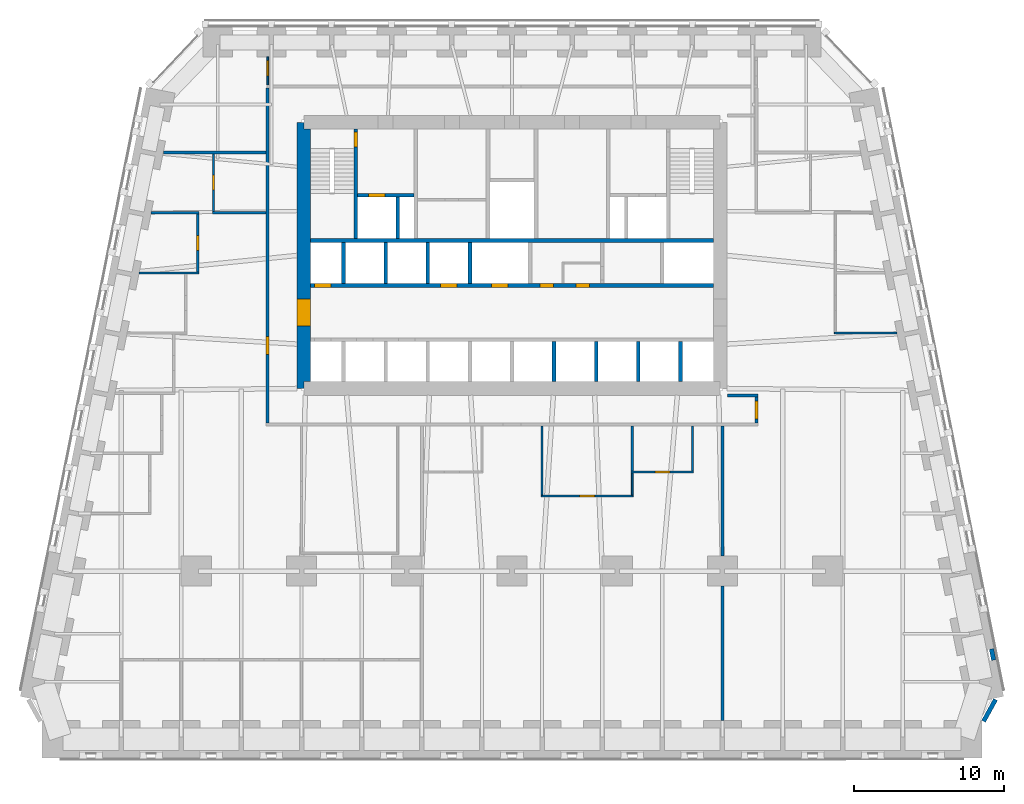
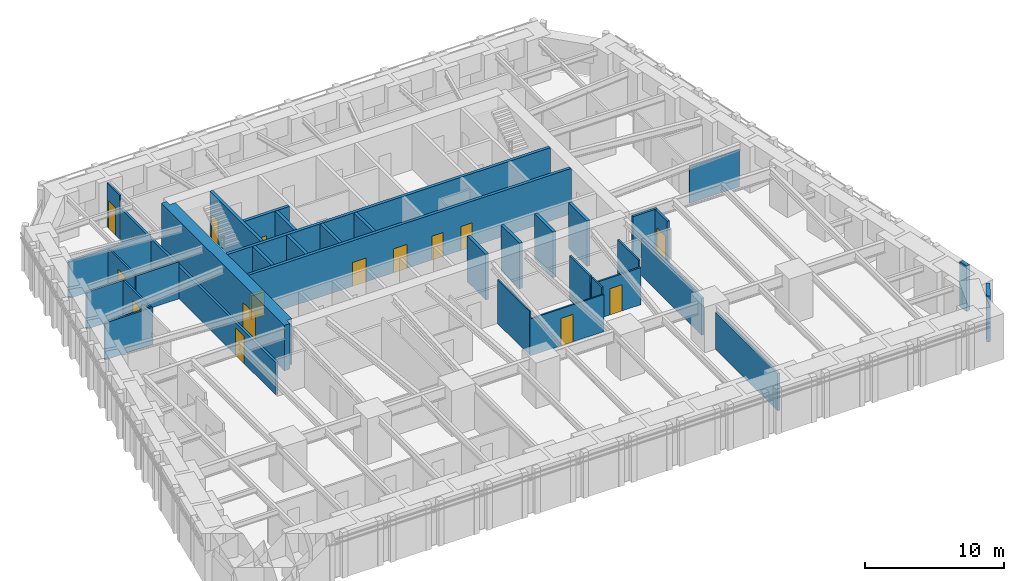
# One storey, part 12 of 16: 35 walls, 15 doors, 15 openings.
"""IFC4 building model written with IfcOpenShell, lengths in metres."""

from ifc_helpers import new_model, si_unit, direction, frame, frame_2d, origin, place, context, subcontext, project, spatial, polyline, rectangle, outline, extrude, material, layer, layer_set, type_object, element, fill, save


model = new_model("IFC4")

# Units and contexts
model_context = context("Model", 3, precision=1e-05, world=origin(), true_north=direction((0.0, 1.0)))
body_context = subcontext(model_context, "Body", "Model", "MODEL_VIEW")
ifc_project = project(units=[si_unit("LENGTHUNIT", "METRE"), si_unit("AREAUNIT", "SQUARE_METRE"), si_unit("VOLUMEUNIT", "CUBIC_METRE"), si_unit("PLANEANGLEUNIT", "RADIAN"), si_unit("MASSUNIT", "GRAM", prefix="KILO")], contexts=[model_context])

# Site, building, storey
site_placement = place(None, origin())
site = spatial("IfcSite", under=ifc_project, at=site_placement, CompositionType="ELEMENT")
building_placement = place(site_placement, origin())
building = spatial("IfcBuilding", under=site, at=building_placement, Name="Isbrekke Arena Tower", CompositionType="ELEMENT")
storey_placement = place(building_placement, frame((0.0, 0.0, 52.0)))
storey = spatial("IfcBuildingStorey", under=building, at=storey_placement, Name="L10", CompositionType="ELEMENT", Elevation=52.0)

# Wall, opening, door
ifc_material_1 = material(Name="Concrete B65 (C65/80)", Category="concrete")
ifc_layer_1 = layer(ifc_material_1, 0.89990234375)
ifc_layer_set_1 = layer_set([ifc_layer_1], Name="CW2 CORE WALL 900")
wall_type_1 = type_object("IfcWallType", Name="CW2 CORE WALL 900", PredefinedType="SHEAR", material=ifc_layer_set_1)
wall_1_placement = place(storey_placement, frame((-13.85009765625, 23.85009765625, 0.0), z_axis=(0.0, 0.0, 1.0), x_axis=(0.0, -1.0, 0.0)))
wall_1 = element("IfcWall", 1, at=wall_1_placement, inside=storey, type_object=wall_type_1, Name="Core wall W L10", PredefinedType="SHEAR", context=body_context, shape_type="SweptSolid", body=[
    extrude(outline(polyline([(0.0, -0.449951171875), (17.7001953125, -0.449951171875), (17.7001953125, 0.0), (17.250244140625, 0.0), (17.250244140625, 0.449951171875), (0.449951171875, 0.449951171875), (0.449951171875, 0.0), (0.0, 0.0), (0.0, -0.449951171875)])), origin(), (0.0, 0.0, 1.0), 4.0),
])
opening_1_placement = place(wall_1_placement, frame((11.75, 0.0, 0.0)))
opening_1 = element("IfcOpeningElement", 2, at=opening_1_placement, cuts=wall_1, Name="Opening D1", PredefinedType="OPENING", context=body_context, shape_type="SweptSolid", body=[
    extrude(rectangle(XDim=1.800048828125, YDim=2.39990234375, at=frame_2d((0.89990234375, 1.199951171875))), frame((0.0, 0.46484375, 0.0), z_axis=(0.0, -1.0, 0.0), x_axis=(1.0, 0.0, 0.0)), (0.0, 0.0, 1.0), 0.9296875),
])
ifc_material_2 = material(Name="Steel-framed glazed fire door", Category="steel")
door_type_1 = type_object("IfcDoorType", Name="D1 CORE LOBBY DOOR 1800 x 2400", OperationType="DOUBLE_DOOR_SINGLE_SWING", PredefinedType="DOOR", material=ifc_material_2)
door_1_placement = place(opening_1_placement, origin())
door_1 = element("IfcDoor", 3, at=door_1_placement, inside=storey, type_object=door_type_1, Name="D1 lift lobby door west L10", OperationType="DOUBLE_DOOR_SINGLE_SWING", OverallHeight=2.39990234375, OverallWidth=1.800048828125, PredefinedType="DOOR", context=body_context, shape_type="SweptSolid", body=[
    extrude(rectangle(XDim=1.800048828125, YDim=2.39990234375, at=frame_2d((0.89990234375, 1.199951171875))), frame((0.0, 0.44970703125, 0.0), z_axis=(0.0, -1.0, 0.0), x_axis=(1.0, 0.0, 0.0)), (0.0, 0.0, 1.0), 0.8994140625),
])
fill(opening_1, door_1)

# Wall, openings, doors
ifc_material_3 = material(Name="Concrete B45 (C45/55)", Category="concrete")
ifc_layer_2 = layer(ifc_material_3, 0.25)
ifc_layer_set_2 = layer_set([ifc_layer_2], Name="CW6 SHAFT WALL 250")
wall_type_2 = type_object("IfcWallType", Name="CW6 SHAFT WALL 250", PredefinedType="SHEAR", material=ifc_layer_set_2)
wall_2_placement = place(storey_placement, frame((-13.39990234375, 13.0, 0.0), z_axis=(0.0, 0.0, 1.0), x_axis=(1.0, 0.0, 0.0)))
wall_2 = element("IfcWall", 4, at=wall_2_placement, inside=storey, type_object=wall_type_2, Name="Core wall LN L10", PredefinedType="SHEAR", context=body_context, shape_type="SweptSolid", body=[
    extrude(rectangle(XDim=26.7998046875, YDim=0.25, at=frame_2d((13.39990234375, 0.0))), origin(), (0.0, 0.0, 1.0), 4.0),
])
opening_2_placement = place(wall_2_placement, frame((0.25, 0.0, 0.0)))
opening_2 = element("IfcOpeningElement", 5, at=opening_2_placement, cuts=wall_2, Name="Opening LD1", PredefinedType="OPENING", context=body_context, shape_type="SweptSolid", body=[
    extrude(rectangle(XDim=1.10009765625, YDim=2.10009765625, at=frame_2d((0.550048828125, 1.050048828125))), frame((0.0, 0.139892578125, 0.0), z_axis=(0.0, -1.0, 0.0), x_axis=(1.0, 0.0, 0.0)), (0.0, 0.0, 1.0), 0.27978515625),
])
opening_3_placement = place(wall_2_placement, frame((8.64990234375, 0.0, 0.0)))
opening_3 = element("IfcOpeningElement", 6, at=opening_3_placement, cuts=wall_2, Name="Opening LD1", PredefinedType="OPENING", context=body_context, shape_type="SweptSolid", body=[
    extrude(rectangle(XDim=1.10009765625, YDim=2.10009765625, at=frame_2d((0.550048828125, 1.050048828125))), frame((0.0, 0.139892578125, 0.0), z_axis=(0.0, -1.0, 0.0), x_axis=(1.0, 0.0, 0.0)), (0.0, 0.0, 1.0), 0.27978515625),
])
opening_4_placement = place(wall_2_placement, frame((12.050048828125, 0.0, 0.0)))
opening_4 = element("IfcOpeningElement", 7, at=opening_4_placement, cuts=wall_2, Name="Opening LD1", PredefinedType="OPENING", context=body_context, shape_type="SweptSolid", body=[
    extrude(rectangle(XDim=1.10009765625, YDim=2.10009765625, at=frame_2d((0.550048828125, 1.050048828125))), frame((0.0, 0.139892578125, 0.0), z_axis=(0.0, -1.0, 0.0), x_axis=(1.0, 0.0, 0.0)), (0.0, 0.0, 1.0), 0.27978515625),
])
opening_5_placement = place(wall_2_placement, frame((15.25, 0.0, 0.0)))
opening_5 = element("IfcOpeningElement", 8, at=opening_5_placement, cuts=wall_2, Name="Opening D5", PredefinedType="OPENING", context=body_context, shape_type="SweptSolid", body=[
    extrude(rectangle(XDim=0.89990234375, YDim=2.10009765625, at=frame_2d((0.449951171875, 1.050048828125))), frame((0.0, 0.139892578125, 0.0), z_axis=(0.0, -1.0, 0.0), x_axis=(1.0, 0.0, 0.0)), (0.0, 0.0, 1.0), 0.27978515625),
])
opening_6_placement = place(wall_2_placement, frame((17.64990234375, 0.0, 0.0)))
opening_6 = element("IfcOpeningElement", 9, at=opening_6_placement, cuts=wall_2, Name="Opening D5", PredefinedType="OPENING", context=body_context, shape_type="SweptSolid", body=[
    extrude(rectangle(XDim=0.89990234375, YDim=2.10009765625, at=frame_2d((0.449951171875, 1.050048828125))), frame((0.0, 0.139892578125, 0.0), z_axis=(0.0, -1.0, 0.0), x_axis=(1.0, 0.0, 0.0)), (0.0, 0.0, 1.0), 0.27978515625),
])
ifc_material_4 = material(Name="Steel fire door", Category="steel")
door_type_2 = type_object("IfcDoorType", Name="D5 SERVICE DOOR 900 x 2100", OperationType="SINGLE_SWING_LEFT", PredefinedType="DOOR", material=ifc_material_4)
door_2_placement = place(opening_5_placement, origin())
door_2 = element("IfcDoor", 10, at=door_2_placement, inside=storey, type_object=door_type_2, Name="D5 communications room door L10", OperationType="SINGLE_SWING_LEFT", OverallHeight=2.10009765625, OverallWidth=0.89990234375, PredefinedType="DOOR", context=body_context, shape_type="SweptSolid", body=[
    extrude(rectangle(XDim=0.89990234375, YDim=2.10009765625, at=frame_2d((0.449951171875, 1.050048828125))), frame((0.0, 0.124755859375, 0.0), z_axis=(0.0, -1.0, 0.0), x_axis=(1.0, 0.0, 0.0)), (0.0, 0.0, 1.0), 0.24951171875),
])
fill(opening_5, door_2)
door_3_placement = place(opening_6_placement, origin())
door_3 = element("IfcDoor", 11, at=door_3_placement, inside=storey, type_object=door_type_2, Name="D5 cleaner's store door L10", OperationType="SINGLE_SWING_LEFT", OverallHeight=2.10009765625, OverallWidth=0.89990234375, PredefinedType="DOOR", context=body_context, shape_type="SweptSolid", body=[
    extrude(rectangle(XDim=0.89990234375, YDim=2.10009765625, at=frame_2d((0.449951171875, 1.050048828125))), frame((0.0, 0.124755859375, 0.0), z_axis=(0.0, -1.0, 0.0), x_axis=(1.0, 0.0, 0.0)), (0.0, 0.0, 1.0), 0.24951171875),
])
fill(opening_6, door_3)
ifc_material_5 = material(Name="Stainless steel lift landing door", Category="steel")
door_type_3 = type_object("IfcDoorType", Name="LD1 LIFT LANDING DOOR 1100 x 2100", OperationType="SLIDING_TO_LEFT", PredefinedType="DOOR", material=ifc_material_5)
door_4_placement = place(opening_2_placement, origin())
door_4 = element("IfcDoor", 12, at=door_4_placement, inside=storey, type_object=door_type_3, Name="LD1 lift landing door LA L10", OperationType="SLIDING_TO_LEFT", OverallHeight=2.10009765625, OverallWidth=1.10009765625, PredefinedType="DOOR", context=body_context, shape_type="SweptSolid", body=[
    extrude(rectangle(XDim=1.10009765625, YDim=2.10009765625, at=frame_2d((0.550048828125, 1.050048828125))), frame((0.0, 0.124755859375, 0.0), z_axis=(0.0, -1.0, 0.0), x_axis=(1.0, 0.0, 0.0)), (0.0, 0.0, 1.0), 0.24951171875),
])
fill(opening_2, door_4)
door_5_placement = place(opening_3_placement, origin())
door_5 = element("IfcDoor", 13, at=door_5_placement, inside=storey, type_object=door_type_3, Name="LD1 lift landing door LA L10", OperationType="SLIDING_TO_LEFT", OverallHeight=2.10009765625, OverallWidth=1.10009765625, PredefinedType="DOOR", context=body_context, shape_type="SweptSolid", body=[
    extrude(rectangle(XDim=1.10009765625, YDim=2.10009765625, at=frame_2d((0.550048828125, 1.050048828125))), frame((0.0, 0.124755859375, 0.0), z_axis=(0.0, -1.0, 0.0), x_axis=(1.0, 0.0, 0.0)), (0.0, 0.0, 1.0), 0.24951171875),
])
fill(opening_3, door_5)
door_6_placement = place(opening_4_placement, origin())
door_6 = element("IfcDoor", 14, at=door_6_placement, inside=storey, type_object=door_type_3, Name="LD1 lift landing door LA L10", OperationType="SLIDING_TO_LEFT", OverallHeight=2.10009765625, OverallWidth=1.10009765625, PredefinedType="DOOR", context=body_context, shape_type="SweptSolid", body=[
    extrude(rectangle(XDim=1.10009765625, YDim=2.10009765625, at=frame_2d((0.550048828125, 1.050048828125))), frame((0.0, 0.124755859375, 0.0), z_axis=(0.0, -1.0, 0.0), x_axis=(1.0, 0.0, 0.0)), (0.0, 0.0, 1.0), 0.24951171875),
])
fill(opening_4, door_6)

# Walls
wall_3_placement = place(storey_placement, frame((-13.39990234375, 16.0, 0.0), z_axis=(0.0, 0.0, 1.0), x_axis=(1.0, 0.0, 0.0)))
element("IfcWall", 15, at=wall_3_placement, inside=storey, type_object=wall_type_2, Name="Core wall NB L10", PredefinedType="SHEAR", context=body_context, shape_type="SweptSolid", body=[
    extrude(rectangle(XDim=26.7998046875, YDim=0.25, at=frame_2d((13.39990234375, 0.0))), origin(), (0.0, 0.0, 1.0), 4.0),
])
for number, where, z_axis, x_axis, name in (
    (16, (2.800048828125, 6.60009765625, 0.0), (0.0, 0.0, 1.0), (0.0, 1.0, 0.0), "Core wall SS06 L10"),
    (17, (5.60009765625, 6.60009765625, 0.0), (0.0, 0.0, 1.0), (0.0, 1.0, 0.0), "Core wall SS07 L10"),
    (18, (8.39990234375, 6.60009765625, 0.0), (0.0, 0.0, 1.0), (0.0, 1.0, 0.0), "Core wall SS08 L10"),
    (19, (11.199951171875, 6.60009765625, 0.0), (0.0, 0.0, 1.0), (0.0, 1.0, 0.0), "Core wall SS09 L10"),
):
    element("IfcWall", number, at=place(storey_placement, frame(where, z_axis=z_axis, x_axis=x_axis)), inside=storey, type_object=wall_type_2, Name=name, PredefinedType="SHEAR", context=body_context, shape_type="SweptSolid", body=[
        extrude(rectangle(XDim=2.6748046875, YDim=0.25, at=frame_2d((1.33740234375, 0.0))), origin(), (0.0, 0.0, 1.0), 4.0),
    ])
for number, where, z_axis, x_axis, name in (
    (20, (-11.199951171875, 13.125, 0.0), (0.0, 0.0, 1.0), (0.0, 1.0, 0.0), "Core wall SN01 L10"),
    (21, (-8.39990234375, 13.125, 0.0), (0.0, 0.0, 1.0), (0.0, 1.0, 0.0), "Core wall SN02 L10"),
    (22, (-5.60009765625, 13.125, 0.0), (0.0, 0.0, 1.0), (0.0, 1.0, 0.0), "Core wall SN03 L10"),
    (23, (-2.800048828125, 13.125, 0.0), (0.0, 0.0, 1.0), (0.0, 1.0, 0.0), "Core wall SN04 L10"),
):
    element("IfcWall", number, at=place(storey_placement, frame(where, z_axis=z_axis, x_axis=x_axis)), inside=storey, type_object=wall_type_2, Name=name, PredefinedType="SHEAR", context=body_context, shape_type="SweptSolid", body=[
        extrude(rectangle(XDim=2.75, YDim=0.25, at=frame_2d((1.375, 0.0))), origin(), (0.0, 0.0, 1.0), 4.0),
    ])

# Wall, opening, door
wall_4_placement = place(storey_placement, frame((-10.39990234375, 16.125, 0.0), z_axis=(0.0, 0.0, 1.0), x_axis=(0.0, 1.0, 0.0)))
wall_4 = element("IfcWall", 24, at=wall_4_placement, inside=storey, type_object=wall_type_2, Name="Core wall NV01 L10", PredefinedType="SHEAR", context=body_context, shape_type="SweptSolid", body=[
    extrude(rectangle(XDim=7.27490234375, YDim=0.25, at=frame_2d((3.637451171875, 0.0))), origin(), (0.0, 0.0, 1.0), 4.0),
])
opening_7_placement = place(wall_4_placement, frame((6.074951171875, 0.0, 0.0)))
opening_7 = element("IfcOpeningElement", 25, at=opening_7_placement, cuts=wall_4, Name="Opening D2", PredefinedType="OPENING", context=body_context, shape_type="SweptSolid", body=[
    extrude(rectangle(XDim=1.0, YDim=2.10009765625, at=frame_2d((0.5, 1.050048828125))), frame((0.0, 0.139892578125, 0.0), z_axis=(0.0, -1.0, 0.0), x_axis=(1.0, 0.0, 0.0)), (0.0, 0.0, 1.0), 0.27978515625),
])
ifc_material_6 = material(Name="Steel fire door", Category="steel")
door_type_4 = type_object("IfcDoorType", Name="D2 STAIR DOOR 1000 x 2100", OperationType="SINGLE_SWING_LEFT", PredefinedType="DOOR", material=ifc_material_6)
door_7_placement = place(opening_7_placement, origin())
door_7 = element("IfcDoor", 26, at=door_7_placement, inside=storey, type_object=door_type_4, Name="D2 stair door ST1 L10", OperationType="SINGLE_SWING_LEFT", OverallHeight=2.10009765625, OverallWidth=1.0, PredefinedType="DOOR", context=body_context, shape_type="SweptSolid", body=[
    extrude(rectangle(XDim=1.0, YDim=2.10009765625, at=frame_2d((0.5, 1.050048828125))), frame((0.0, 0.124755859375, 0.0), z_axis=(0.0, -1.0, 0.0), x_axis=(1.0, 0.0, 0.0)), (0.0, 0.0, 1.0), 0.24951171875),
])
fill(opening_7, door_7)

wall_5_placement = place(storey_placement, frame((-10.27490234375, 19.0, 0.0), z_axis=(0.0, 0.0, 1.0), x_axis=(1.0, 0.0, 0.0)))
wall_5 = element("IfcWall", 27, at=wall_5_placement, inside=storey, type_object=wall_type_2, Name="Core wall NFW L10", PredefinedType="SHEAR", context=body_context, shape_type="SweptSolid", body=[
    extrude(rectangle(XDim=3.75, YDim=0.25, at=frame_2d((1.875, 0.0))), origin(), (0.0, 0.0, 1.0), 4.0),
])
opening_8_placement = place(wall_5_placement, frame((0.72509765625, 0.0, 0.0)))
opening_8 = element("IfcOpeningElement", 28, at=opening_8_placement, cuts=wall_5, Name="Opening LD2", PredefinedType="OPENING", context=body_context, shape_type="SweptSolid", body=[
    extrude(rectangle(XDim=1.10009765625, YDim=2.10009765625, at=frame_2d((0.550048828125, 1.050048828125))), frame((0.0, 0.139892578125, 0.0), z_axis=(0.0, -1.0, 0.0), x_axis=(1.0, 0.0, 0.0)), (0.0, 0.0, 1.0), 0.27978515625),
])
ifc_material_7 = material(Name="Stainless steel lift landing door", Category="steel")
door_type_5 = type_object("IfcDoorType", Name="LD2 FIRE-FIGHTING LIFT LANDING DOOR 1100 x 2100", OperationType="SLIDING_TO_RIGHT", PredefinedType="DOOR", material=ifc_material_7)
door_8_placement = place(opening_8_placement, origin())
door_8 = element("IfcDoor", 29, at=door_8_placement, inside=storey, type_object=door_type_5, Name="LD2 lift landing door LF L10", OperationType="SLIDING_TO_RIGHT", OverallHeight=2.10009765625, OverallWidth=1.10009765625, PredefinedType="DOOR", context=body_context, shape_type="SweptSolid", body=[
    extrude(rectangle(XDim=1.10009765625, YDim=2.10009765625, at=frame_2d((0.550048828125, 1.050048828125))), frame((0.0, 0.124755859375, 0.0), z_axis=(0.0, -1.0, 0.0), x_axis=(1.0, 0.0, 0.0)), (0.0, 0.0, 1.0), 0.24951171875),
])
fill(opening_8, door_8)

# Walls
wall_6_placement = place(storey_placement, frame((-7.60009765625, 16.125, 0.0), z_axis=(0.0, 0.0, 1.0), x_axis=(0.0, 1.0, 0.0)))
element("IfcWall", 30, at=wall_6_placement, inside=storey, type_object=wall_type_2, Name="Core wall NFS1 L10", PredefinedType="SHEAR", context=body_context, shape_type="SweptSolid", body=[
    extrude(rectangle(XDim=2.75, YDim=0.25, at=frame_2d((1.375, 0.0))), origin(), (0.0, 0.0, 1.0), 4.0),
])
ifc_material_8 = material(Name="Insulated aluminium panel on steel framing", Category="steel")
ifc_layer_3 = layer(ifc_material_8, 0.300048828125)
ifc_layer_set_3 = layer_set([ifc_layer_3], Name="EW4 INSULATED PANEL WALL 300")
wall_type_3 = type_object("IfcWallType", Name="EW4 INSULATED PANEL WALL 300", PredefinedType="SOLIDWALL", material=ifc_layer_set_3)
wall_7_placement = place(storey_placement, frame((31.36328125, -15.98828125, 0.0), z_axis=(0.0, 0.0, 1.0), x_axis=(0.481879089964, 0.876237720402, 0.0)))
element("IfcWall", 31, at=wall_7_placement, inside=storey, type_object=wall_type_3, Name="EW4 corner closure panel L10-SE", PredefinedType="SOLIDWALL", context=body_context, shape_type="SweptSolid", body=[
    extrude(rectangle(XDim=1.654296875, YDim=0.300048828125, at=frame_2d((0.8271484375, 0.0))), origin(), (0.0, 0.0, 1.0), 4.0),
])
wall_8_placement = place(storey_placement, frame((32.0380859375, -11.916259765625, 0.0), z_axis=(0.0, 0.0, 1.0), x_axis=(-0.195867092459, 0.980630451338, 0.0)))
element("IfcWall", 32, at=wall_8_placement, inside=storey, type_object=wall_type_3, Name="EW4 closure panel L10-E 1", PredefinedType="SOLIDWALL", context=body_context, shape_type="SweptSolid", body=[
    extrude(rectangle(XDim=0.754150390625, YDim=0.300048828125, at=frame_2d((0.376953125, 0.0))), origin(), (0.0, 0.0, 1.0), 4.0),
])

# Wall, opening, door
ifc_material_9 = material(Name="Gypsum board partition on steel studs", Category="steel")
ifc_layer_4 = layer(ifc_material_9, 0.14990234375)
ifc_layer_set_4 = layer_set([ifc_layer_4], Name="IW1 PARTITION 150")
wall_type_4 = type_object("IfcWallType", Name="IW1 PARTITION 150", PredefinedType="PARTITIONING", material=ifc_layer_set_4)
wall_9_placement = place(storey_placement, frame((7.925048828125, 0.60009765625, 0.0), z_axis=(0.0, 0.0, 1.0), x_axis=(1.0, 0.0, 0.0)))
wall_9 = element("IfcWall", 33, at=wall_9_placement, inside=storey, type_object=wall_type_4, Name="IW1 partition 150 L10", PredefinedType="PARTITIONING", context=body_context, shape_type="SweptSolid", body=[
    extrude(rectangle(XDim=4.14990234375, YDim=0.14990234375, at=frame_2d((2.074951171875, 0.0))), origin(), (0.0, 0.0, 1.0), 3.25),
])
opening_9_placement = place(wall_9_placement, frame((1.574951171875, 0.0, 0.0)))
opening_9 = element("IfcOpeningElement", 34, at=opening_9_placement, cuts=wall_9, Name="Opening D10", PredefinedType="OPENING", context=body_context, shape_type="SweptSolid", body=[
    extrude(rectangle(XDim=1.0, YDim=2.300048828125, at=frame_2d((0.5, 1.14990234375))), frame((0.0, 0.08984375, 0.0), z_axis=(0.0, -1.0, 0.0), x_axis=(1.0, 0.0, 0.0)), (0.0, 0.0, 1.0), 0.1796875),
])
ifc_material_10 = material(Name="Timber door", Category="wood")
door_type_6 = type_object("IfcDoorType", Name="D10 OFFICE DOOR 1000 x 2300", OperationType="SINGLE_SWING_LEFT", PredefinedType="DOOR", material=ifc_material_10)
door_9_placement = place(opening_9_placement, origin())
door_9 = element("IfcDoor", 35, at=door_9_placement, inside=storey, type_object=door_type_6, Name="D10 pantry door L10", OperationType="SINGLE_SWING_LEFT", OverallHeight=2.300048828125, OverallWidth=1.0, PredefinedType="DOOR", context=body_context, shape_type="SweptSolid", body=[
    extrude(rectangle(XDim=1.0, YDim=2.300048828125, at=frame_2d((0.5, 1.14990234375))), frame((0.0, 0.07470703125, 0.0), z_axis=(0.0, -1.0, 0.0), x_axis=(1.0, 0.0, 0.0)), (0.0, 0.0, 1.0), 0.1494140625),
])
fill(opening_9, door_9)

# Walls
wall_10_placement = place(storey_placement, frame((-24.79638671875, 13.840087890625, 0.0), z_axis=(0.0, 0.0, 1.0), x_axis=(1.0, 0.0, 0.0)))
element("IfcWall", 36, at=wall_10_placement, inside=storey, type_object=wall_type_4, Name="IW1 partition 150 L10", PredefinedType="PARTITIONING", context=body_context, shape_type="SweptSolid", body=[
    extrude(rectangle(XDim=3.971435546875, YDim=0.14990234375, at=frame_2d((1.98583984375, 0.0))), origin(), (0.0, 0.0, 1.0), 3.25),
])
wall_11_placement = place(storey_placement, frame((-23.996337890625, 17.840087890625, 0.0), z_axis=(0.0, 0.0, 1.0), x_axis=(1.0, 0.0, 0.0)))
element("IfcWall", 37, at=wall_11_placement, inside=storey, type_object=wall_type_4, Name="IW1 partition 150 L10", PredefinedType="PARTITIONING", context=body_context, shape_type="SweptSolid", body=[
    extrude(rectangle(XDim=3.17138671875, YDim=0.14990234375, at=frame_2d((1.585693359375, 0.0))), origin(), (0.0, 0.0, 1.0), 3.25),
])
wall_12_placement = place(storey_placement, frame((-19.925048828125, 17.840087890625, 0.0), z_axis=(0.0, 0.0, 1.0), x_axis=(1.0, 0.0, 0.0)))
element("IfcWall", 38, at=wall_12_placement, inside=storey, type_object=wall_type_4, Name="IW1 partition 150 L10", PredefinedType="PARTITIONING", context=body_context, shape_type="SweptSolid", body=[
    extrude(rectangle(XDim=3.574951171875, YDim=0.14990234375, at=frame_2d((1.78759765625, 0.0))), origin(), (0.0, 0.0, 1.0), 3.25),
])

# Wall, opening, door
wall_13_placement = place(storey_placement, frame((-20.89990234375, 13.9150390625, 0.0), z_axis=(0.0, 0.0, 1.0), x_axis=(0.0, 1.0, 0.0)))
wall_13 = element("IfcWall", 39, at=wall_13_placement, inside=storey, type_object=wall_type_4, Name="IW1 partition 150 L10", PredefinedType="PARTITIONING", context=body_context, shape_type="SweptSolid", body=[
    extrude(rectangle(XDim=3.849853515625, YDim=0.14990234375, at=frame_2d((1.9248046875, 0.0))), origin(), (0.0, 0.0, 1.0), 3.25),
])
opening_10_placement = place(wall_13_placement, frame((1.425048828125, 0.0, 0.0)))
opening_10 = element("IfcOpeningElement", 40, at=opening_10_placement, cuts=wall_13, Name="Opening D10", PredefinedType="OPENING", context=body_context, shape_type="SweptSolid", body=[
    extrude(rectangle(XDim=1.0, YDim=2.300048828125, at=frame_2d((0.5, 1.14990234375))), frame((0.0, 0.08984375, 0.0), z_axis=(0.0, -1.0, 0.0), x_axis=(1.0, 0.0, 0.0)), (0.0, 0.0, 1.0), 0.1796875),
])
door_10_placement = place(opening_10_placement, origin())
door_10 = element("IfcDoor", 41, at=door_10_placement, inside=storey, type_object=door_type_6, Name="D10 office door L10", OperationType="SINGLE_SWING_LEFT", OverallHeight=2.300048828125, OverallWidth=1.0, PredefinedType="DOOR", context=body_context, shape_type="SweptSolid", body=[
    extrude(rectangle(XDim=1.0, YDim=2.300048828125, at=frame_2d((0.5, 1.14990234375))), frame((0.0, 0.07470703125, 0.0), z_axis=(0.0, -1.0, 0.0), x_axis=(1.0, 0.0, 0.0)), (0.0, 0.0, 1.0), 0.1494140625),
])
fill(opening_10, door_10)

wall_14_placement = place(storey_placement, frame((-19.85009765625, 17.9150390625, 0.0), z_axis=(0.0, 0.0, 1.0), x_axis=(0.0, 1.0, 0.0)))
wall_14 = element("IfcWall", 42, at=wall_14_placement, inside=storey, type_object=wall_type_4, Name="IW1 partition 150 L10", PredefinedType="PARTITIONING", context=body_context, shape_type="SweptSolid", body=[
    extrude(rectangle(XDim=3.824951171875, YDim=0.14990234375, at=frame_2d((1.91259765625, 0.0))), origin(), (0.0, 0.0, 1.0), 3.25),
])
opening_11_placement = place(wall_14_placement, frame((1.425048828125, 0.0, 0.0)))
opening_11 = element("IfcOpeningElement", 43, at=opening_11_placement, cuts=wall_14, Name="Opening D10", PredefinedType="OPENING", context=body_context, shape_type="SweptSolid", body=[
    extrude(rectangle(XDim=1.0, YDim=2.300048828125, at=frame_2d((0.5, 1.14990234375))), frame((0.0, 0.08984375, 0.0), z_axis=(0.0, -1.0, 0.0), x_axis=(1.0, 0.0, 0.0)), (0.0, 0.0, 1.0), 0.1796875),
])
door_11_placement = place(opening_11_placement, origin())
door_11 = element("IfcDoor", 44, at=door_11_placement, inside=storey, type_object=door_type_6, Name="D10 pantry door L10", OperationType="SINGLE_SWING_LEFT", OverallHeight=2.300048828125, OverallWidth=1.0, PredefinedType="DOOR", context=body_context, shape_type="SweptSolid", body=[
    extrude(rectangle(XDim=1.0, YDim=2.300048828125, at=frame_2d((0.5, 1.14990234375))), frame((0.0, 0.07470703125, 0.0), z_axis=(0.0, -1.0, 0.0), x_axis=(1.0, 0.0, 0.0)), (0.0, 0.0, 1.0), 0.1494140625),
])
fill(opening_11, door_11)

# Walls
for number, where, z_axis, x_axis, name in (
    (45, (8.0, 0.675048828125, 0.0), (0.0, 0.0, 1.0), (0.0, 1.0, 0.0), "IW1 partition 150 L10"),
    (46, (12.0, 0.675048828125, 0.0), (0.0, 0.0, 1.0), (0.0, 1.0, 0.0), "IW1 partition 150 L10"),
):
    element("IfcWall", number, at=place(storey_placement, frame(where, z_axis=z_axis, x_axis=x_axis)), inside=storey, type_object=wall_type_4, Name=name, PredefinedType="PARTITIONING", context=body_context, shape_type="SweptSolid", body=[
        extrude(rectangle(XDim=2.974853515625, YDim=0.14990234375, at=frame_2d((1.4873046875, 0.0))), origin(), (0.0, 0.0, 1.0), 3.85009765625),
    ])

# Wall, opening, door
ifc_material_11 = material(Name="Frameless glazed partition, laminated acoustic glass", Category="glass")
ifc_layer_5 = layer(ifc_material_11, 0.1201171875)
ifc_layer_set_5 = layer_set([ifc_layer_5], Name="IW2 GLAZED PARTITION 120")
wall_type_5 = type_object("IfcWallType", Name="IW2 GLAZED PARTITION 120", PredefinedType="PARTITIONING", material=ifc_layer_set_5)
wall_15_placement = place(storey_placement, frame((1.93994140625, -1.0, 0.0), z_axis=(0.0, 0.0, 1.0), x_axis=(1.0, 0.0, 0.0)))
wall_15 = element("IfcWall", 47, at=wall_15_placement, inside=storey, type_object=wall_type_5, Name="IW2 glazed partition 120 L10", PredefinedType="PARTITIONING", context=body_context, shape_type="SweptSolid", body=[
    extrude(rectangle(XDim=6.1201171875, YDim=0.1201171875, at=frame_2d((3.06005859375, 0.0))), origin(), (0.0, 0.0, 1.0), 3.25),
])
opening_12_placement = place(wall_15_placement, frame((2.56005859375, 0.0, 0.0)))
opening_12 = element("IfcOpeningElement", 48, at=opening_12_placement, cuts=wall_15, Name="Opening D11", PredefinedType="OPENING", context=body_context, shape_type="SweptSolid", body=[
    extrude(rectangle(XDim=1.0, YDim=2.39990234375, at=frame_2d((0.5, 1.199951171875))), frame((0.0, 0.074951171875, 0.0), z_axis=(0.0, -1.0, 0.0), x_axis=(1.0, 0.0, 0.0)), (0.0, 0.0, 1.0), 0.14990234375),
])
ifc_material_12 = material(Name="Frameless glazed door", Category="glass")
door_type_7 = type_object("IfcDoorType", Name="D11 GLAZED MEETING ROOM DOOR 1000 x 2400", OperationType="SINGLE_SWING_RIGHT", PredefinedType="DOOR", material=ifc_material_12)
door_12_placement = place(opening_12_placement, origin())
door_12 = element("IfcDoor", 49, at=door_12_placement, inside=storey, type_object=door_type_7, Name="D11 meeting room door L10", OperationType="SINGLE_SWING_RIGHT", OverallHeight=2.39990234375, OverallWidth=1.0, PredefinedType="DOOR", context=body_context, shape_type="SweptSolid", body=[
    extrude(rectangle(XDim=1.0, YDim=2.39990234375, at=frame_2d((0.5, 1.199951171875))), frame((0.0, 0.059814453125, 0.0), z_axis=(0.0, -1.0, 0.0), x_axis=(1.0, 0.0, 0.0)), (0.0, 0.0, 1.0), 0.11962890625),
])
fill(opening_12, door_12)

# Wall
wall_16_placement = place(storey_placement, frame((21.43994140625, 9.840087890625, 0.0), z_axis=(0.0, 0.0, 1.0), x_axis=(1.0, 0.0, 0.0)))
element("IfcWall", 50, at=wall_16_placement, inside=storey, type_object=wall_type_5, Name="IW2 glazed partition 120 L10", PredefinedType="PARTITIONING", context=body_context, shape_type="SweptSolid", body=[
    extrude(rectangle(XDim=4.156494140625, YDim=0.1201171875, at=frame_2d((2.078125, 0.0))), origin(), (0.0, 0.0, 1.0), 3.25),
])

# Wall, opening, door
wall_17_placement = place(storey_placement, frame((-16.25, 26.35009765625, 0.0), z_axis=(0.0, 0.0, 1.0), x_axis=(0.0, 1.0, 0.0)))
wall_17 = element("IfcWall", 51, at=wall_17_placement, inside=storey, type_object=wall_type_5, Name="IW2 glazed partition 120 L10", PredefinedType="PARTITIONING", context=body_context, shape_type="SweptSolid", body=[
    extrude(rectangle(XDim=1.849853515625, YDim=0.1201171875, at=frame_2d((0.9248046875, 0.0))), origin(), (0.0, 0.0, 1.0), 3.85009765625),
])
opening_13_placement = place(wall_17_placement, frame((0.60009765625, 0.0, 0.0)))
opening_13 = element("IfcOpeningElement", 52, at=opening_13_placement, cuts=wall_17, Name="Opening D11", PredefinedType="OPENING", context=body_context, shape_type="SweptSolid", body=[
    extrude(rectangle(XDim=1.0, YDim=2.39990234375, at=frame_2d((0.5, 1.199951171875))), frame((0.0, 0.074951171875, 0.0), z_axis=(0.0, -1.0, 0.0), x_axis=(1.0, 0.0, 0.0)), (0.0, 0.0, 1.0), 0.14990234375),
])
door_13_placement = place(opening_13_placement, origin())
door_13 = element("IfcDoor", 53, at=door_13_placement, inside=storey, type_object=door_type_7, Name="D11 meeting room door L10", OperationType="SINGLE_SWING_RIGHT", OverallHeight=2.39990234375, OverallWidth=1.0, PredefinedType="DOOR", context=body_context, shape_type="SweptSolid", body=[
    extrude(rectangle(XDim=1.0, YDim=2.39990234375, at=frame_2d((0.5, 1.199951171875))), frame((0.0, 0.059814453125, 0.0), z_axis=(0.0, -1.0, 0.0), x_axis=(1.0, 0.0, 0.0)), (0.0, 0.0, 1.0), 0.11962890625),
])
fill(opening_13, door_13)

# Walls
wall_18_placement = place(storey_placement, frame((2.0, -0.93994140625, 0.0), z_axis=(0.0, 0.0, 1.0), x_axis=(0.0, 1.0, 0.0)))
element("IfcWall", 54, at=wall_18_placement, inside=storey, type_object=wall_type_5, Name="IW2 glazed partition 120 L10", PredefinedType="PARTITIONING", context=body_context, shape_type="SweptSolid", body=[
    extrude(rectangle(XDim=4.58984375, YDim=0.1201171875, at=frame_2d((2.294921875, 0.0))), origin(), (0.0, 0.0, 1.0), 3.85009765625),
])
wall_19_placement = place(storey_placement, frame((8.0, -0.93994140625, 0.0), z_axis=(0.0, 0.0, 1.0), x_axis=(0.0, 1.0, 0.0)))
element("IfcWall", 55, at=wall_19_placement, inside=storey, type_object=wall_type_5, Name="IW2 glazed partition 120 L10", PredefinedType="PARTITIONING", context=body_context, shape_type="SweptSolid", body=[
    extrude(rectangle(XDim=1.46484375, YDim=0.1201171875, at=frame_2d((0.732421875, 0.0))), origin(), (0.0, 0.0, 1.0), 3.85009765625),
])
ifc_material_13 = material(Name="Gypsum board fire-cell wall on steel studs, two layers each side", Category="steel")
ifc_layer_6 = layer(ifc_material_13, 0.199951171875)
ifc_layer_set_6 = layer_set([ifc_layer_6], Name="IW3 FIRE-CELL WALL 200")
wall_type_6 = type_object("IfcWallType", Name="IW3 FIRE-CELL WALL 200", PredefinedType="PARTITIONING", material=ifc_layer_set_6)
wall_20_placement = place(storey_placement, frame((14.330078125, 5.699951171875, 0.0), z_axis=(0.0, 0.0, 1.0), x_axis=(1.0, 0.0, 0.0)))
element("IfcWall", 56, at=wall_20_placement, inside=storey, type_object=wall_type_6, Name="IW3 fire-cell wall 200 L10", PredefinedType="PARTITIONING", context=body_context, shape_type="SweptSolid", body=[
    extrude(rectangle(XDim=2.02001953125, YDim=0.199951171875, at=frame_2d((1.010009765625, 0.0))), origin(), (0.0, 0.0, 1.0), 3.85009765625),
])
wall_21_placement = place(storey_placement, frame((-23.1962890625, 21.840087890625, 0.0), z_axis=(0.0, 0.0, 1.0), x_axis=(1.0, 0.0, 0.0)))
element("IfcWall", 57, at=wall_21_placement, inside=storey, type_object=wall_type_6, Name="IW3 fire-cell wall 200 L10", PredefinedType="PARTITIONING", context=body_context, shape_type="SweptSolid", body=[
    extrude(rectangle(XDim=6.84619140625, YDim=0.199951171875, at=frame_2d((3.423095703125, 0.0))), origin(), (0.0, 0.0, 1.0), 3.25),
])

# Wall, opening, door
wall_22_placement = place(storey_placement, frame((-16.25, 3.85009765625, 0.0), z_axis=(0.0, 0.0, 1.0), x_axis=(0.0, 1.0, 0.0)))
wall_22 = element("IfcWall", 58, at=wall_22_placement, inside=storey, type_object=wall_type_6, Name="IW3 fire-cell wall 200 L10", PredefinedType="PARTITIONING", context=body_context, shape_type="SweptSolid", body=[
    extrude(rectangle(XDim=22.2998046875, YDim=0.199951171875, at=frame_2d((11.14990234375, 0.0))), origin(), (0.0, 0.0, 1.0), 2.842041015625),
])
opening_14_placement = place(wall_22_placement, frame((4.550048828125, 0.0, 0.0)))
opening_14 = element("IfcOpeningElement", 59, at=opening_14_placement, cuts=wall_22, Name="Opening D12", PredefinedType="OPENING", context=body_context, shape_type="SweptSolid", body=[
    extrude(rectangle(XDim=1.199951171875, YDim=2.39990234375, at=frame_2d((0.60009765625, 1.199951171875))), frame((0.0, 0.11474609375, 0.0), z_axis=(0.0, -1.0, 0.0), x_axis=(1.0, 0.0, 0.0)), (0.0, 0.0, 1.0), 0.229736328125),
])
ifc_material_14 = material(Name="Timber fire door with vision panel", Category="wood")
door_type_8 = type_object("IfcDoorType", Name="D12 SUITE ENTRANCE DOOR 1200 x 2400", OperationType="SINGLE_SWING_LEFT", PredefinedType="DOOR", material=ifc_material_14)
door_14_placement = place(opening_14_placement, origin())
door_14 = element("IfcDoor", 60, at=door_14_placement, inside=storey, type_object=door_type_8, Name="D12 suite entrance W door L10", OperationType="SINGLE_SWING_LEFT", OverallHeight=2.39990234375, OverallWidth=1.199951171875, PredefinedType="DOOR", context=body_context, shape_type="SweptSolid", body=[
    extrude(rectangle(XDim=1.199951171875, YDim=2.39990234375, at=frame_2d((0.60009765625, 1.199951171875))), frame((0.0, 0.099609375, 0.0), z_axis=(0.0, -1.0, 0.0), x_axis=(1.0, 0.0, 0.0)), (0.0, 0.0, 1.0), 0.199462890625),
])
fill(opening_14, door_14)

# Walls
wall_23_placement = place(storey_placement, frame((14.0, -15.925048828125, 0.0), z_axis=(0.0, 0.0, 1.0), x_axis=(0.0, 1.0, 0.0)))
element("IfcWall", 61, at=wall_23_placement, inside=storey, type_object=wall_type_6, Name="IW3 fire-cell wall 200 L10", PredefinedType="PARTITIONING", context=body_context, shape_type="SweptSolid", body=[
    extrude(rectangle(XDim=8.925048828125, YDim=0.199951171875, at=frame_2d((4.46240234375, 0.0))), origin(), (0.0, 0.0, 1.0), 3.25),
])
wall_24_placement = place(storey_placement, frame((14.0, -5.0, 0.0), z_axis=(0.0, 0.0, 1.0), x_axis=(0.0, 1.0, 0.0)))
element("IfcWall", 62, at=wall_24_placement, inside=storey, type_object=wall_type_6, Name="IW3 fire-cell wall 200 L10", PredefinedType="PARTITIONING", context=body_context, shape_type="SweptSolid", body=[
    extrude(rectangle(XDim=8.64990234375, YDim=0.199951171875, at=frame_2d((4.324951171875, 0.0))), origin(), (0.0, 0.0, 1.0), 3.25),
])

# Wall, opening, door
wall_25_placement = place(storey_placement, frame((16.25, 3.85009765625, 0.0), z_axis=(0.0, 0.0, 1.0), x_axis=(0.0, 1.0, 0.0)))
wall_25 = element("IfcWall", 63, at=wall_25_placement, inside=storey, type_object=wall_type_6, Name="IW3 fire-cell wall 200 L10", PredefinedType="PARTITIONING", context=body_context, shape_type="SweptSolid", body=[
    extrude(rectangle(XDim=1.75, YDim=0.199951171875, at=frame_2d((0.875, 0.0))), origin(), (0.0, 0.0, 1.0), 3.85009765625),
])
opening_15_placement = place(wall_25_placement, frame((0.27001953125, 0.0, 0.0)))
opening_15 = element("IfcOpeningElement", 64, at=opening_15_placement, cuts=wall_25, Name="Opening D12", PredefinedType="OPENING", context=body_context, shape_type="SweptSolid", body=[
    extrude(rectangle(XDim=1.199951171875, YDim=2.39990234375, at=frame_2d((0.60009765625, 1.199951171875))), frame((0.0, 0.11474609375, 0.0), z_axis=(0.0, -1.0, 0.0), x_axis=(1.0, 0.0, 0.0)), (0.0, 0.0, 1.0), 0.229736328125),
])
door_15_placement = place(opening_15_placement, origin())
door_15 = element("IfcDoor", 65, at=door_15_placement, inside=storey, type_object=door_type_8, Name="D12 suite entrance E door L10", OperationType="SINGLE_SWING_LEFT", OverallHeight=2.39990234375, OverallWidth=1.199951171875, PredefinedType="DOOR", context=body_context, shape_type="SweptSolid", body=[
    extrude(rectangle(XDim=1.199951171875, YDim=2.39990234375, at=frame_2d((0.60009765625, 1.199951171875))), frame((0.0, 0.099609375, 0.0), z_axis=(0.0, -1.0, 0.0), x_axis=(1.0, 0.0, 0.0)), (0.0, 0.0, 1.0), 0.199462890625),
])
fill(opening_15, door_15)

save(model, "model.ifc")
